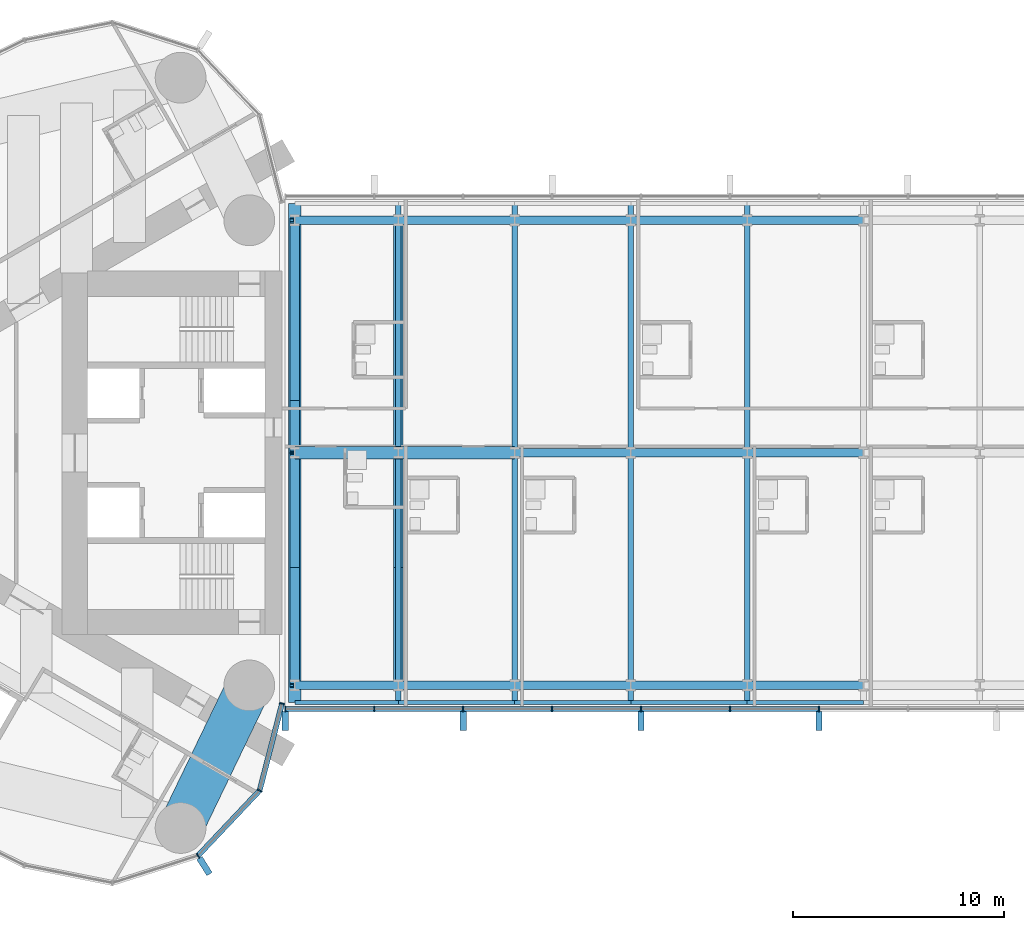
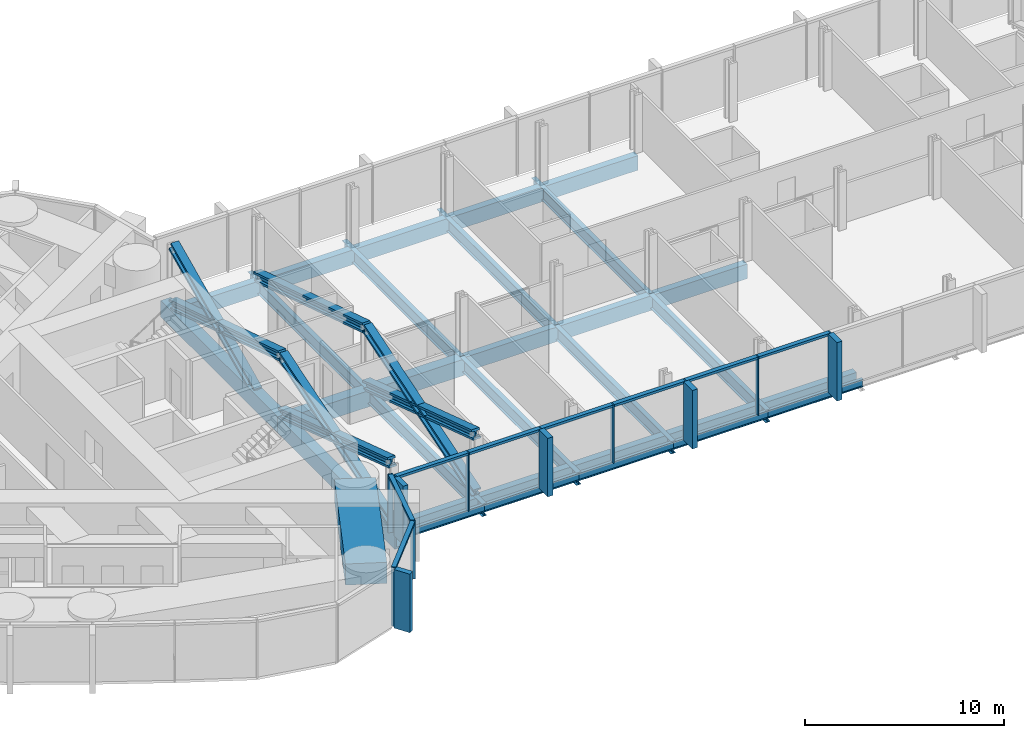
# One storey, part 5 of 24: 31 beams, 30 members, 2 elements without a shape of their own.
"""IFC4 building model written with IfcOpenShell, lengths in metres."""

import ifcopenshell
import ifcopenshell.guid

model = None  # the IFC model being written
_history = None  # IfcOwnerHistory: only IFC2X3 demands one
_inside = {}  # id of a spatial element -> (the spatial element, [elements in it])
_under = {}  # id of a project, library or spatial element -> (it, [spatial elements below it])
_declared = {}  # id of a project -> (the project, [libraries it declares])
_typed = {}  # id of a type object -> (the type object, [elements of that type])
_made_of = {}  # id of a material, layer set ... -> (it, [elements and type objects made of it])


def new_model(schema):
    """Start an empty IFC model of exactly this schema.

    Asked for "IFC4X3", IfcOpenShell would pick the latest addendum, in which some entities
    have other attributes; the version numbers below select the first issue.
    IFC2X3 requires an IfcOwnerHistory on every rooted entity: one is made here for all.
    """
    global model, _history
    if schema == "IFC4X3":
        model = ifcopenshell.file(schema_version=(4, 3, 0, 0))
    else:
        model = ifcopenshell.file(schema=schema)
    _inside.clear()
    _under.clear()
    _declared.clear()
    _typed.clear()
    _made_of.clear()
    _history = None
    if model.schema == "IFC2X3":
        org = make("IfcOrganization", Name="unknown")
        user = make(
            "IfcPersonAndOrganization",
            ThePerson=make("IfcPerson", FamilyName="unknown"),
            TheOrganization=org,
        )
        app = make(
            "IfcApplication",
            ApplicationDeveloper=org,
            Version="unknown",
            ApplicationFullName="unknown",
            ApplicationIdentifier="unknown",
        )
        _history = make(
            "IfcOwnerHistory",
            OwningUser=user,
            OwningApplication=app,
            ChangeAction="ADDED",
            CreationDate=0,
        )
    return model


def make(cls, **values):
    """One entity of the class cls with the attributes given. An attribute that is None is left unset."""
    return model.create_entity(
        cls, **{name: value for name, value in values.items() if value is not None}
    )


def rooted(cls, **values):
    """An entity with a GlobalId (a new one), such as an element, a storey or a relation."""
    return make(cls, GlobalId=ifcopenshell.guid.new(), OwnerHistory=_history, **values)


def si_unit(unit_type, name, prefix=None):
    """IfcSIUnit, for example si_unit("LENGTHUNIT", "METRE", prefix="MILLI")."""
    return make("IfcSIUnit", UnitType=unit_type, Prefix=prefix, Name=name)


def assignment(units):
    """IfcUnitAssignment: the units of a project."""
    return None if units is None else make("IfcUnitAssignment", Units=units)


def point(xyz):
    """IfcCartesianPoint."""
    return None if xyz is None else make("IfcCartesianPoint", Coordinates=xyz)


def direction(xyz):
    """IfcDirection."""
    return None if xyz is None else make("IfcDirection", DirectionRatios=xyz)


def frame(location, z_axis=None, x_axis=None):
    """IfcAxis2Placement3D, a coordinate frame: its origin and axes. An axis left out is left unset."""
    return make(
        "IfcAxis2Placement3D",
        Location=point(location),
        Axis=direction(z_axis),
        RefDirection=direction(x_axis),
    )


def frame_2d(location, x_axis=None):
    """IfcAxis2Placement2D, a coordinate frame in the plane: its origin and x axis."""
    return make(
        "IfcAxis2Placement2D", Location=point(location), RefDirection=direction(x_axis)
    )


def origin():
    """The frame at (0, 0, 0) with its axes left unset."""
    return frame((0.0, 0.0, 0.0))


def origin_2d():
    """The frame at (0, 0) in the plane with its x axis left unset."""
    return frame_2d((0.0, 0.0))


def place(relative_to, where):
    """IfcLocalPlacement: puts the frame where relative to a parent placement (None: the world)."""
    return make(
        "IfcLocalPlacement", PlacementRelTo=relative_to, RelativePlacement=where
    )


def context(
    kind, dimensions, precision=None, world=None, true_north=None, identifier=None
):
    """IfcGeometricRepresentationContext, for example the 3D "Model" context."""
    return make(
        "IfcGeometricRepresentationContext",
        ContextIdentifier=identifier,
        ContextType=kind,
        CoordinateSpaceDimension=dimensions,
        Precision=precision,
        WorldCoordinateSystem=world,
        TrueNorth=true_north,
    )


def subcontext(parent, identifier, kind, view, scale=None):
    """IfcGeometricRepresentationSubContext, for example "Body" below "Model"."""
    return make(
        "IfcGeometricRepresentationSubContext",
        ContextIdentifier=identifier,
        ContextType=kind,
        ParentContext=parent,
        TargetScale=scale,
        TargetView=view,
    )


def project(units=None, contexts=None):
    """IfcProject with its units and contexts."""
    return rooted(
        "IfcProject",
        Name="project",
        RepresentationContexts=contexts,
        UnitsInContext=assignment(units),
    )


def spatial(cls, under=None, at=None, **own):
    """A site, building, storey or space (cls), placed at a placement, below another one or the project."""
    s = rooted(cls, ObjectPlacement=at, **own)
    if under is not None:
        _under.setdefault(under.id(), (under, []))[1].append(s)
    return s


def profile(cls, at=None, kind="AREA", **sizes):
    """A parametric profile (cls). Its sizes go by their IFC names, for example OverallWidth=200.0."""
    return make(cls, ProfileType=kind, Position=at, **sizes)


def rectangle(**sizes):
    """IfcRectangleProfileDef."""
    return profile("IfcRectangleProfileDef", **sizes)


def hollow_rectangle(**sizes):
    """IfcRectangleHollowProfileDef."""
    return profile("IfcRectangleHollowProfileDef", **sizes)


def i_section(**sizes):
    """IfcIShapeProfileDef."""
    return profile("IfcIShapeProfileDef", **sizes)


def extrude(swept, where, along, depth):
    """IfcExtrudedAreaSolid: the profile swept, set in the frame where, extruded along a direction by depth."""
    return make(
        "IfcExtrudedAreaSolid",
        SweptArea=swept,
        Position=where,
        ExtrudedDirection=direction(along),
        Depth=depth,
    )


def shape(context_of_items, identifier, shape_type, items):
    """IfcShapeRepresentation: the items that make up one representation, for example the "Body"."""
    return make(
        "IfcShapeRepresentation",
        ContextOfItems=context_of_items,
        RepresentationIdentifier=identifier,
        RepresentationType=shape_type,
        Items=items,
    )


def material(Name=None, Category=None):
    """IfcMaterial."""
    return make("IfcMaterial", Name=Name, Category=Category)


def material_profile(
    of_material, cross_section, Name=None, Category=None, Priority=None
):
    """IfcMaterialProfile: a cross section and its material."""
    return make(
        "IfcMaterialProfile",
        Name=Name,
        Material=of_material,
        Profile=cross_section,
        Priority=Priority,
        Category=Category,
    )


def profile_set(profiles, Name=None, composite=None):
    """IfcMaterialProfileSet."""
    return make(
        "IfcMaterialProfileSet",
        Name=Name,
        MaterialProfiles=profiles,
        CompositeProfile=composite,
    )


def made_of(thing, what):
    """Note that an element or type object is made of a material, layer set ...; save() writes the relation."""
    if what is not None:
        _made_of.setdefault(what.id(), (what, []))[1].append(thing)
    return thing


def type_object(cls, material=None, **own):
    """A type object (cls), such as IfcWallType, which elements share."""
    return made_of(rooted(cls, **own), material)


def element(
    cls,
    number,
    at=None,
    inside=None,
    cuts=None,
    type_object=None,
    material=None,
    context=None,
    identifier="Body",
    shape_type=None,
    held_by="IfcProductDefinitionShape",
    body=None,
    shapes=None,
    **own,
):
    """One element of the class cls, such as IfcWall. Its Tag is "e" and its number.

    at: its placement. inside: the storey or other place that contains it. cuts: it is an
    opening in that element (IfcRelVoidsElement). A single representation is given by context,
    identifier, shape_type and body (its items); several are given by shapes. held_by: the class
    of the entity that holds the representations. save() writes the other relations.
    """
    e = rooted(cls, Tag="e%d" % number, ObjectPlacement=at, **own)
    if body is not None:
        shapes = [shape(context, identifier, shape_type, body)]
    if shapes is not None:
        e.Representation = make(held_by, Representations=shapes)
    if inside is not None:
        _inside.setdefault(inside.id(), (inside, []))[1].append(e)
    if cuts is not None:
        rooted(
            "IfcRelVoidsElement", RelatingBuildingElement=cuts, RelatedOpeningElement=e
        )
    if type_object is not None:
        _typed.setdefault(type_object.id(), (type_object, []))[1].append(e)
    return made_of(e, material)


def aggregate(whole, parts):
    """IfcRelAggregates: a whole, such as a stair, and the parts it consists of."""
    return rooted("IfcRelAggregates", RelatingObject=whole, RelatedObjects=parts)


def save(model, path):
    """Write the relations noted so far, then the file.

    IfcRelAggregates (storeys below a building ...), IfcRelContainedInSpatialStructure (elements
    in a storey), IfcRelDefinesByType, IfcRelAssociatesMaterial and IfcRelDeclares: one each for
    every whole, place, type object, material and project.
    """
    for whole, parts in _under.values():
        aggregate(whole, parts)
    for where, things in _inside.values():
        rooted(
            "IfcRelContainedInSpatialStructure",
            RelatedElements=things,
            RelatingStructure=where,
        )
    for kind, things in _typed.values():
        rooted("IfcRelDefinesByType", RelatedObjects=things, RelatingType=kind)
    for what, things in _made_of.values():
        rooted("IfcRelAssociatesMaterial", RelatedObjects=things, RelatingMaterial=what)
    for by, libraries in _declared.values():
        rooted("IfcRelDeclares", RelatingContext=by, RelatedDefinitions=libraries)
    model.write(path)


model = new_model("IFC4")

# Units and contexts
model_context = context("Model", 3, precision=1e-05, world=origin(), true_north=direction((0.0, 1.0)))
body_context = subcontext(model_context, "Body", "Model", "MODEL_VIEW")
ifc_project = project(units=[si_unit("LENGTHUNIT", "METRE"), si_unit("AREAUNIT", "SQUARE_METRE"), si_unit("VOLUMEUNIT", "CUBIC_METRE"), si_unit("PLANEANGLEUNIT", "RADIAN"), si_unit("MASSUNIT", "GRAM", prefix="KILO")], contexts=[model_context])

# Site, building, storey
site_placement = place(None, origin())
site = spatial("IfcSite", under=ifc_project, at=site_placement, CompositionType="ELEMENT")
building_placement = place(site_placement, origin())
building = spatial("IfcBuilding", under=site, at=building_placement, Name="Lancet Gate Hotel", CompositionType="ELEMENT")
storey_placement = place(building_placement, frame((0.0, 0.0, 236.89990234375)))
storey = spatial("IfcBuildingStorey", under=building, at=storey_placement, Name="L63", CompositionType="ELEMENT", Elevation=236.89990234375)

# Curtain wall, members
ifc_material_1 = material(Name="Aluminium curtain wall", Category="aluminium")
curtain_wall_type_1 = type_object("IfcCurtainWallType", Name="Tower unitised curtain wall", PredefinedType="USERDEFINED", material=ifc_material_1)
curtain_wall_1_placement = place(storey_placement, origin())
curtain_wall_1 = element("IfcCurtainWall", 1, at=curtain_wall_1_placement, inside=storey, type_object=curtain_wall_type_1, Name="T1 L63 curtain wall 1", ObjectType="UNITISED CURTAIN WALL", PredefinedType="USERDEFINED")
ifc_material_2 = material(Name="Aluminium mullion", Category="aluminium")
ifc_material_profile_1 = material_profile(ifc_material_2, rectangle(XDim=0.06494140625, YDim=0.25, at=origin_2d()), Name="MULLION 65x250")
ifc_profile_set_1 = profile_set([ifc_material_profile_1], Name="Aluminium mullion")
member_type_1 = type_object("IfcMemberType", Name="Aluminium mullion 65x250", PredefinedType="MULLION", material=ifc_profile_set_1)
member_1_placement = place(storey_placement, frame((-31.476318359375, -19.0576171875, 0.0), z_axis=(0.0, 0.0, 1.0), x_axis=(0.846612863, 0.532209225966, 0.0)))
member_1 = element("IfcMember", 2, at=member_1_placement, type_object=member_type_1, Name="T1 L63 curtain wall 1 mullion 23", PredefinedType="MULLION", context=body_context, shape_type="SweptSolid", body=[
    extrude(rectangle(XDim=0.06494140625, YDim=0.25, at=origin_2d()), origin(), (0.0, 0.0, 1.0), 3.60009765625),
])
member_2_placement = place(storey_placement, frame((-28.56005859375, -15.97216796875, 0.0), z_axis=(0.0, 0.0, 1.0), x_axis=(0.483627322447, 0.875274021654, 0.0)))
member_2 = element("IfcMember", 3, at=member_2_placement, type_object=member_type_1, Name="T1 L63 curtain wall 1 mullion 24", PredefinedType="MULLION", context=body_context, shape_type="SweptSolid", body=[
    extrude(rectangle(XDim=0.06494140625, YDim=0.25, at=origin_2d()), origin(), (0.0, 0.0, 1.0), 3.60009765625),
])
member_3_placement = place(storey_placement, frame((-27.5, -11.861572265625, 0.0), z_axis=(0.0, 0.0, 1.0), x_axis=(0.249725827997, 0.968316586056, 0.0)))
member_3 = element("IfcMember", 4, at=member_3_placement, type_object=member_type_1, Name="T1 L63 curtain wall 1 mullion 25", PredefinedType="MULLION", context=body_context, shape_type="SweptSolid", body=[
    extrude(rectangle(XDim=0.06494140625, YDim=0.25, at=origin_2d()), origin(), (0.0, 0.0, 1.0), 3.60009765625),
])

ifc_material_3 = material(Name="Aluminium curtain wall", Category="aluminium")
curtain_wall_type_2 = type_object("IfcCurtainWallType", Name="Bridge block curtain wall", PredefinedType="USERDEFINED", material=ifc_material_3)
curtain_wall_2_placement = place(storey_placement, origin())
curtain_wall_2 = element("IfcCurtainWall", 5, at=curtain_wall_2_placement, inside=storey, type_object=curtain_wall_type_2, Name="Bridge block L63 curtain wall S", ObjectType="UNITISED CURTAIN WALL", PredefinedType="USERDEFINED")
member_4_placement = place(storey_placement, frame((-27.35009765625, -12.1201171875, 0.0), z_axis=(0.0, 0.0, 1.0), x_axis=(1.0, 0.0, 0.0)))
member_4 = element("IfcMember", 6, at=member_4_placement, type_object=member_type_1, Name="Bridge block L63 curtain wall S mullion 1", PredefinedType="MULLION", context=body_context, shape_type="SweptSolid", body=[
    extrude(rectangle(XDim=0.06494140625, YDim=0.25, at=origin_2d()), origin(), (0.0, 0.0, 1.0), 3.60009765625),
])
member_5_placement = place(storey_placement, frame((-23.142333984375, -12.1201171875, 0.0), z_axis=(0.0, 0.0, 1.0), x_axis=(1.0, 0.0, 0.0)))
member_5 = element("IfcMember", 7, at=member_5_placement, type_object=member_type_1, Name="Bridge block L63 curtain wall S mullion 2", PredefinedType="MULLION", context=body_context, shape_type="SweptSolid", body=[
    extrude(rectangle(XDim=0.06494140625, YDim=0.25, at=origin_2d()), origin(), (0.0, 0.0, 1.0), 3.60009765625),
])
member_6_placement = place(storey_placement, frame((-18.9345703125, -12.1201171875, 0.0), z_axis=(0.0, 0.0, 1.0), x_axis=(1.0, 0.0, 0.0)))
member_6 = element("IfcMember", 8, at=member_6_placement, type_object=member_type_1, Name="Bridge block L63 curtain wall S mullion 3", PredefinedType="MULLION", context=body_context, shape_type="SweptSolid", body=[
    extrude(rectangle(XDim=0.06494140625, YDim=0.25, at=origin_2d()), origin(), (0.0, 0.0, 1.0), 3.60009765625),
])
member_7_placement = place(storey_placement, frame((-14.726806640625, -12.1201171875, 0.0), z_axis=(0.0, 0.0, 1.0), x_axis=(1.0, 0.0, 0.0)))
member_7 = element("IfcMember", 9, at=member_7_placement, type_object=member_type_1, Name="Bridge block L63 curtain wall S mullion 4", PredefinedType="MULLION", context=body_context, shape_type="SweptSolid", body=[
    extrude(rectangle(XDim=0.06494140625, YDim=0.25, at=origin_2d()), origin(), (0.0, 0.0, 1.0), 3.60009765625),
])
member_8_placement = place(storey_placement, frame((-10.519287109375, -12.1201171875, 0.0), z_axis=(0.0, 0.0, 1.0), x_axis=(1.0, 0.0, 0.0)))
member_8 = element("IfcMember", 10, at=member_8_placement, type_object=member_type_1, Name="Bridge block L63 curtain wall S mullion 5", PredefinedType="MULLION", context=body_context, shape_type="SweptSolid", body=[
    extrude(rectangle(XDim=0.06494140625, YDim=0.25, at=origin_2d()), origin(), (0.0, 0.0, 1.0), 3.60009765625),
])
member_9_placement = place(storey_placement, frame((-6.3115234375, -12.1201171875, 0.0), z_axis=(0.0, 0.0, 1.0), x_axis=(1.0, 0.0, 0.0)))
member_9 = element("IfcMember", 11, at=member_9_placement, type_object=member_type_1, Name="Bridge block L63 curtain wall S mullion 6", PredefinedType="MULLION", context=body_context, shape_type="SweptSolid", body=[
    extrude(rectangle(XDim=0.06494140625, YDim=0.25, at=origin_2d()), origin(), (0.0, 0.0, 1.0), 3.60009765625),
])
member_10_placement = place(storey_placement, frame((-2.103759765625, -12.1201171875, 0.0), z_axis=(0.0, 0.0, 1.0), x_axis=(1.0, 0.0, 0.0)))
member_10 = element("IfcMember", 12, at=member_10_placement, type_object=member_type_1, Name="Bridge block L63 curtain wall S mullion 7", PredefinedType="MULLION", context=body_context, shape_type="SweptSolid", body=[
    extrude(rectangle(XDim=0.06494140625, YDim=0.25, at=origin_2d()), origin(), (0.0, 0.0, 1.0), 3.60009765625),
])

# Member
ifc_material_4 = material(Name="Aluminium transom", Category="aluminium")
ifc_material_profile_2 = material_profile(ifc_material_4, rectangle(XDim=0.25, YDim=0.14990234375, at=origin_2d()), Name="TRANSOM 250x150")
ifc_profile_set_2 = profile_set([ifc_material_profile_2], Name="Aluminium transom")
member_type_2 = type_object("IfcMemberType", Name="Aluminium transom 250x150", PredefinedType="USERDEFINED", material=ifc_profile_set_2)
member_11_placement = place(storey_placement, frame((-31.453857421875, -19.033935546875, 3.525146484375), z_axis=(0.686880731091, 0.726770157103, 0.0), x_axis=(-0.726770157103, 0.686880731091, 0.0)))
member_11 = element("IfcMember", 13, at=member_11_placement, type_object=member_type_2, Name="T1 L63 curtain wall 1 transom 23", ObjectType="TRANSOM", PredefinedType="USERDEFINED", context=body_context, shape_type="SweptSolid", body=[
    extrude(rectangle(XDim=0.25, YDim=0.14990234375, at=origin_2d()), origin(), (0.0, 0.0, 1.0), 4.18017578125),
])

member_12_placement = place(storey_placement, frame((-28.552001953125, -15.94091796875, 3.525146484375), z_axis=(0.249715522936, 0.968319243641, 0.0), x_axis=(-0.968319243641, 0.249715522936, 0.0)))
member_12 = element("IfcMember", 14, at=member_12_placement, type_object=member_type_2, Name="T1 L63 curtain wall 1 transom 24", ObjectType="TRANSOM", PredefinedType="USERDEFINED", context=body_context, shape_type="SweptSolid", body=[
    extrude(rectangle(XDim=0.25, YDim=0.14990234375, at=origin_2d()), origin(), (0.0, 0.0, 1.0), 4.180419921875),
])

member_13_placement = place(storey_placement, frame((-27.3173828125, -12.1201171875, 3.525146484375), z_axis=(1.0, 0.0, 0.0), x_axis=(0.0, 1.0, 0.0)))
member_13 = element("IfcMember", 15, at=member_13_placement, type_object=member_type_2, Name="Bridge block L63 curtain wall S transom 1", ObjectType="TRANSOM", PredefinedType="USERDEFINED", context=body_context, shape_type="SweptSolid", body=[
    extrude(rectangle(XDim=0.25, YDim=0.14990234375, at=origin_2d()), origin(), (0.0, 0.0, 1.0), 4.142578125),
])

member_14_placement = place(storey_placement, frame((-23.10986328125, -12.1201171875, 3.525146484375), z_axis=(1.0, 0.0, 0.0), x_axis=(0.0, 1.0, 0.0)))
member_14 = element("IfcMember", 16, at=member_14_placement, type_object=member_type_2, Name="Bridge block L63 curtain wall S transom 2", ObjectType="TRANSOM", PredefinedType="USERDEFINED", context=body_context, shape_type="SweptSolid", body=[
    extrude(rectangle(XDim=0.25, YDim=0.14990234375, at=origin_2d()), origin(), (0.0, 0.0, 1.0), 4.142822265625),
])

member_15_placement = place(storey_placement, frame((-18.902099609375, -12.1201171875, 3.525146484375), z_axis=(1.0, 0.0, 0.0), x_axis=(0.0, 1.0, 0.0)))
member_15 = element("IfcMember", 17, at=member_15_placement, type_object=member_type_2, Name="Bridge block L63 curtain wall S transom 3", ObjectType="TRANSOM", PredefinedType="USERDEFINED", context=body_context, shape_type="SweptSolid", body=[
    extrude(rectangle(XDim=0.25, YDim=0.14990234375, at=origin_2d()), origin(), (0.0, 0.0, 1.0), 4.142578125),
])

member_16_placement = place(storey_placement, frame((-14.6943359375, -12.1201171875, 3.525146484375), z_axis=(1.0, 0.0, 0.0), x_axis=(0.0, 1.0, 0.0)))
member_16 = element("IfcMember", 18, at=member_16_placement, type_object=member_type_2, Name="Bridge block L63 curtain wall S transom 4", ObjectType="TRANSOM", PredefinedType="USERDEFINED", context=body_context, shape_type="SweptSolid", body=[
    extrude(rectangle(XDim=0.25, YDim=0.14990234375, at=origin_2d()), origin(), (0.0, 0.0, 1.0), 4.142578125),
])

member_17_placement = place(storey_placement, frame((-10.48681640625, -12.1201171875, 3.525146484375), z_axis=(1.0, 0.0, 0.0), x_axis=(0.0, 1.0, 0.0)))
member_17 = element("IfcMember", 19, at=member_17_placement, type_object=member_type_2, Name="Bridge block L63 curtain wall S transom 5", ObjectType="TRANSOM", PredefinedType="USERDEFINED", context=body_context, shape_type="SweptSolid", body=[
    extrude(rectangle(XDim=0.25, YDim=0.14990234375, at=origin_2d()), origin(), (0.0, 0.0, 1.0), 4.142822265625),
])

member_18_placement = place(storey_placement, frame((-6.279052734375, -12.1201171875, 3.525146484375), z_axis=(1.0, 0.0, 0.0), x_axis=(0.0, 1.0, 0.0)))
member_18 = element("IfcMember", 20, at=member_18_placement, type_object=member_type_2, Name="Bridge block L63 curtain wall S transom 6", ObjectType="TRANSOM", PredefinedType="USERDEFINED", context=body_context, shape_type="SweptSolid", body=[
    extrude(rectangle(XDim=0.25, YDim=0.14990234375, at=origin_2d()), origin(), (0.0, 0.0, 1.0), 4.142822265625),
])

# Members
ifc_material_5 = material(Name="Steel S460", Category="steel")
ifc_material_profile_3 = material_profile(ifc_material_5, i_section(OverallWidth=0.4541015625, OverallDepth=0.569091796875, WebThickness=0.077880859375, FlangeThickness=0.125, FilletRadius=0.02001953125, at=origin_2d()), Name="HD 400x1086")
ifc_profile_set_3 = profile_set([ifc_material_profile_3], Name="Steel S460")
member_type_3 = type_object("IfcMemberType", Name="Block brace HD 400x1086", PredefinedType="BRACE", material=ifc_profile_set_3)
member_19_placement = place(storey_placement, frame((-26.89990234375, -11.0, 0.0), z_axis=(0.0, 0.952925780013, 0.303203657277), x_axis=(-1.0, 0.0, 0.0)))
element("IfcMember", 21, at=member_19_placement, inside=storey, type_object=member_type_3, Name="Block brace WY11 L63", PredefinedType="BRACE", context=body_context, shape_type="SweptSolid", body=[
    extrude(i_section(OverallWidth=0.4541015625, OverallDepth=0.569091796875, WebThickness=0.077880859375, FlangeThickness=0.125, FilletRadius=0.02001953125, at=origin_2d()), origin(), (0.0, 0.0, 1.0), 11.54345703125),
])
member_20_placement = place(storey_placement, frame((-26.89990234375, 0.0, 0.0), z_axis=(0.0, -0.950394634814, 0.311046681573), x_axis=(1.0, 0.0, 0.0)))
element("IfcMember", 22, at=member_20_placement, inside=storey, type_object=member_type_3, Name="Block brace WY12 L63", PredefinedType="BRACE", context=body_context, shape_type="SweptSolid", body=[
    extrude(i_section(OverallWidth=0.4541015625, OverallDepth=0.569091796875, WebThickness=0.077880859375, FlangeThickness=0.125, FilletRadius=0.02001953125, at=origin_2d()), origin(), (0.0, 0.0, 1.0), 11.57421875),
])
for number, where, z_axis, x_axis, name in (
    (23, (-26.89990234375, 11.0, 0.0), (0.0, -0.952925780013, 0.303203657277), (1.0, 0.0, 0.0), "Block brace WY22 L63"),
    (24, (-22.0, -11.0, 0.0), (0.0, 0.952925780013, 0.303203657277), (-1.0, 0.0, 0.0), "Block brace WI11 L63"),
):
    element("IfcMember", number, at=place(storey_placement, frame(where, z_axis=z_axis, x_axis=x_axis)), inside=storey, type_object=member_type_3, Name=name, PredefinedType="BRACE", context=body_context, shape_type="SweptSolid", body=[
        extrude(i_section(OverallWidth=0.4541015625, OverallDepth=0.569091796875, WebThickness=0.077880859375, FlangeThickness=0.125, FilletRadius=0.02001953125, at=origin_2d()), origin(), (0.0, 0.0, 1.0), 11.54345703125),
    ])
member_21_placement = place(storey_placement, frame((-22.0, 0.0, 0.0), z_axis=(0.0, -0.950394634814, 0.311046681573), x_axis=(1.0, 0.0, 0.0)))
element("IfcMember", 25, at=member_21_placement, inside=storey, type_object=member_type_3, Name="Block brace WI12 L63", PredefinedType="BRACE", context=body_context, shape_type="SweptSolid", body=[
    extrude(i_section(OverallWidth=0.4541015625, OverallDepth=0.569091796875, WebThickness=0.077880859375, FlangeThickness=0.125, FilletRadius=0.02001953125, at=origin_2d()), origin(), (0.0, 0.0, 1.0), 11.57421875),
])
member_22_placement = place(storey_placement, frame((-22.0, 11.0, 0.0), z_axis=(0.0, -0.952925780013, 0.303203657277), x_axis=(1.0, 0.0, 0.0)))
element("IfcMember", 26, at=member_22_placement, inside=storey, type_object=member_type_3, Name="Block brace WI22 L63", PredefinedType="BRACE", context=body_context, shape_type="SweptSolid", body=[
    extrude(i_section(OverallWidth=0.4541015625, OverallDepth=0.569091796875, WebThickness=0.077880859375, FlangeThickness=0.125, FilletRadius=0.02001953125, at=origin_2d()), origin(), (0.0, 0.0, 1.0), 11.54345703125),
])
member_23_placement = place(storey_placement, frame((-26.89990234375, 2.60009765625, -0.2998046875), z_axis=(0.0, 0.907011125382, 0.421106659212), x_axis=(-1.0, 0.0, 0.0)))
element("IfcMember", 27, at=member_23_placement, inside=storey, type_object=member_type_3, Name="Block brace WY23 L63", PredefinedType="BRACE", context=body_context, shape_type="SweptSolid", body=[
    extrude(i_section(OverallWidth=0.4541015625, OverallDepth=0.569091796875, WebThickness=0.077880859375, FlangeThickness=0.125, FilletRadius=0.02001953125, at=origin_2d()), origin(), (0.0, 0.0, 1.0), 9.260986328125),
])

# Beams
ifc_material_6 = material(Name="Steel S355", Category="steel")
ifc_material_profile_4 = material_profile(ifc_material_6, i_section(OverallWidth=0.19140625, OverallDepth=0.4599609375, WebThickness=0.010009765625, FlangeThickness=0.01611328125, FilletRadius=0.01025390625, at=origin_2d()), Name="UKB 457x191x82")
ifc_profile_set_4 = profile_set([ifc_material_profile_4], Name="Steel S355")
beam_type_1 = type_object("IfcBeamType", Name="Block edge beam UKB 457x191x82", PredefinedType="SPANDREL", material=ifc_profile_set_4)
beam_1_placement = place(storey_placement, frame((-26.89990234375, -11.800048828125, -0.429931640625), z_axis=(1.0, 0.0, 0.0), x_axis=(0.0, 1.0, 0.0)))
element("IfcBeam", 28, at=beam_1_placement, inside=storey, type_object=beam_type_1, Name="Block edge beam S 0-1 L63", PredefinedType="SPANDREL", context=body_context, shape_type="SweptSolid", body=[
    extrude(i_section(OverallWidth=0.19140625, OverallDepth=0.4599609375, WebThickness=0.010009765625, FlangeThickness=0.01611328125, FilletRadius=0.01025390625, at=origin_2d()), origin(), (0.0, 0.0, 1.0), 4.89990234375),
])
for number, where, z_axis, x_axis, name in (
    (29, (-22.0, -11.800048828125, -0.429931640625), (1.0, 0.0, 0.0), (0.0, 1.0, 0.0), "Block edge beam S 1-2 L63"),
    (30, (-16.5, -11.800048828125, -0.429931640625), (1.0, 0.0, 0.0), (0.0, 1.0, 0.0), "Block edge beam S 2-3 L63"),
    (31, (-11.0, -11.800048828125, -0.429931640625), (1.0, 0.0, 0.0), (0.0, 1.0, 0.0), "Block edge beam S 3-4 L63"),
    (32, (-5.5, -11.800048828125, -0.429931640625), (1.0, 0.0, 0.0), (0.0, 1.0, 0.0), "Block edge beam S 4-5 L63"),
):
    element("IfcBeam", number, at=place(storey_placement, frame(where, z_axis=z_axis, x_axis=x_axis)), inside=storey, type_object=beam_type_1, Name=name, PredefinedType="SPANDREL", context=body_context, shape_type="SweptSolid", body=[
        extrude(i_section(OverallWidth=0.19140625, OverallDepth=0.4599609375, WebThickness=0.010009765625, FlangeThickness=0.01611328125, FilletRadius=0.01025390625, at=origin_2d()), origin(), (0.0, 0.0, 1.0), 5.5),
    ])
ifc_material_7 = material(Name="Steel S460QL", Category="steel")
ifc_material_profile_5 = material_profile(ifc_material_7, hollow_rectangle(XDim=0.60009765625, YDim=1.0, WallThickness=0.10009765625, at=origin_2d()), Name="BOX 1000x600x100")
ifc_profile_set_5 = profile_set([ifc_material_profile_5], Name="Steel S460QL")
beam_type_2 = type_object("IfcBeamType", Name="Block end beam BOX 1000x600x100", PredefinedType="BEAM", material=ifc_profile_set_5)
for number, where, z_axis, x_axis, name in (
    (33, (-26.89990234375, -11.800048828125, -0.699951171875), (0.0, 1.0, 0.0), (-1.0, 0.0, 0.0), "Block beam x0 S L63"),
    (34, (-26.89990234375, 0.0, -0.699951171875), (0.0, 1.0, 0.0), (-1.0, 0.0, 0.0), "Block beam x0 N L63"),
):
    element("IfcBeam", number, at=place(storey_placement, frame(where, z_axis=z_axis, x_axis=x_axis)), inside=storey, type_object=beam_type_2, Name=name, PredefinedType="BEAM", context=body_context, shape_type="SweptSolid", body=[
        extrude(hollow_rectangle(XDim=0.60009765625, YDim=1.0, WallThickness=0.10009765625, at=origin_2d()), origin(), (0.0, 0.0, 1.0), 11.800048828125),
    ])
ifc_material_8 = material(Name="Steel S460QL", Category="steel")
ifc_material_profile_6 = material_profile(ifc_material_8, hollow_rectangle(XDim=0.60009765625, YDim=1.0, WallThickness=0.080078125, at=origin_2d()), Name="BOX 1000x600x80")
ifc_profile_set_6 = profile_set([ifc_material_profile_6], Name="Steel S460QL")
beam_type_3 = type_object("IfcBeamType", Name="Block primary beam BOX 1000x600x80", PredefinedType="BEAM", material=ifc_profile_set_6)
beam_2_placement = place(storey_placement, frame((-26.89990234375, 0.0, -0.699951171875), z_axis=(1.0, 0.0, 0.0), x_axis=(0.0, 1.0, 0.0)))
element("IfcBeam", 35, at=beam_2_placement, inside=storey, type_object=beam_type_3, Name="Block primary beam M 1 L63", PredefinedType="BEAM", context=body_context, shape_type="SweptSolid", body=[
    extrude(hollow_rectangle(XDim=0.60009765625, YDim=1.0, WallThickness=0.080078125, at=origin_2d()), origin(), (0.0, 0.0, 1.0), 4.89990234375),
])
beam_3_placement = place(storey_placement, frame((-22.0, 0.0, -0.699951171875), z_axis=(1.0, 0.0, 0.0), x_axis=(0.0, 1.0, 0.0)))
element("IfcBeam", 36, at=beam_3_placement, inside=storey, type_object=beam_type_3, Name="Block primary beam M 2 L63", PredefinedType="BEAM", context=body_context, shape_type="SweptSolid", body=[
    extrude(hollow_rectangle(XDim=0.60009765625, YDim=1.0, WallThickness=0.080078125, at=origin_2d()), origin(), (0.0, 0.0, 1.0), 5.5),
])
ifc_material_9 = material(Name="Steel S355", Category="steel")
ifc_material_profile_7 = material_profile(ifc_material_9, hollow_rectangle(XDim=0.39990234375, YDim=0.89990234375, WallThickness=0.0400390625, at=origin_2d()), Name="BOX 900x400x40")
ifc_profile_set_7 = profile_set([ifc_material_profile_7], Name="Steel S355")
beam_type_4 = type_object("IfcBeamType", Name="Block primary beam BOX 900x400x40", PredefinedType="BEAM", material=ifc_profile_set_7)
beam_4_placement = place(storey_placement, frame((-26.89990234375, -11.0, -0.64990234375), z_axis=(1.0, 0.0, 0.0), x_axis=(0.0, 1.0, 0.0)))
element("IfcBeam", 37, at=beam_4_placement, inside=storey, type_object=beam_type_4, Name="Block primary beam S 1 L63", PredefinedType="BEAM", context=body_context, shape_type="SweptSolid", body=[
    extrude(hollow_rectangle(XDim=0.39990234375, YDim=0.89990234375, WallThickness=0.0400390625, at=origin_2d()), origin(), (0.0, 0.0, 1.0), 4.89990234375),
])
for number, where, z_axis, x_axis, name in (
    (38, (-22.0, -11.0, -0.64990234375), (1.0, 0.0, 0.0), (0.0, 1.0, 0.0), "Block primary beam S 2 L63"),
    (39, (-16.5, -11.0, -0.64990234375), (1.0, 0.0, 0.0), (0.0, 1.0, 0.0), "Block primary beam S 3 L63"),
    (40, (-11.0, -11.0, -0.64990234375), (1.0, 0.0, 0.0), (0.0, 1.0, 0.0), "Block primary beam S 4 L63"),
    (41, (-5.5, -11.0, -0.64990234375), (1.0, 0.0, 0.0), (0.0, 1.0, 0.0), "Block primary beam S 5 L63"),
    (42, (-16.5, 0.0, -0.64990234375), (1.0, 0.0, 0.0), (0.0, 1.0, 0.0), "Block primary beam M 3 L63"),
    (43, (-11.0, 0.0, -0.64990234375), (1.0, 0.0, 0.0), (0.0, 1.0, 0.0), "Block primary beam M 4 L63"),
    (44, (-5.5, 0.0, -0.64990234375), (1.0, 0.0, 0.0), (0.0, 1.0, 0.0), "Block primary beam M 5 L63"),
):
    element("IfcBeam", number, at=place(storey_placement, frame(where, z_axis=z_axis, x_axis=x_axis)), inside=storey, type_object=beam_type_4, Name=name, PredefinedType="BEAM", context=body_context, shape_type="SweptSolid", body=[
        extrude(hollow_rectangle(XDim=0.39990234375, YDim=0.89990234375, WallThickness=0.0400390625, at=origin_2d()), origin(), (0.0, 0.0, 1.0), 5.5),
    ])
beam_5_placement = place(storey_placement, frame((-26.89990234375, 11.0, -0.64990234375), z_axis=(1.0, 0.0, 0.0), x_axis=(0.0, 1.0, 0.0)))
element("IfcBeam", 45, at=beam_5_placement, inside=storey, type_object=beam_type_4, Name="Block primary beam N 1 L63", PredefinedType="BEAM", context=body_context, shape_type="SweptSolid", body=[
    extrude(hollow_rectangle(XDim=0.39990234375, YDim=0.89990234375, WallThickness=0.0400390625, at=origin_2d()), origin(), (0.0, 0.0, 1.0), 4.89990234375),
])
for number, where, z_axis, x_axis, name in (
    (46, (-22.0, 11.0, -0.64990234375), (1.0, 0.0, 0.0), (0.0, 1.0, 0.0), "Block primary beam N 2 L63"),
    (47, (-16.5, 11.0, -0.64990234375), (1.0, 0.0, 0.0), (0.0, 1.0, 0.0), "Block primary beam N 3 L63"),
    (48, (-11.0, 11.0, -0.64990234375), (1.0, 0.0, 0.0), (0.0, 1.0, 0.0), "Block primary beam N 4 L63"),
    (49, (-5.5, 11.0, -0.64990234375), (1.0, 0.0, 0.0), (0.0, 1.0, 0.0), "Block primary beam N 5 L63"),
):
    element("IfcBeam", number, at=place(storey_placement, frame(where, z_axis=z_axis, x_axis=x_axis)), inside=storey, type_object=beam_type_4, Name=name, PredefinedType="BEAM", context=body_context, shape_type="SweptSolid", body=[
        extrude(hollow_rectangle(XDim=0.39990234375, YDim=0.89990234375, WallThickness=0.0400390625, at=origin_2d()), origin(), (0.0, 0.0, 1.0), 5.5),
    ])
ifc_material_10 = material(Name="Steel S355", Category="steel")
ifc_material_profile_8 = material_profile(ifc_material_10, i_section(OverallWidth=0.26806640625, OverallDepth=0.769775390625, WebThickness=0.015625, FlangeThickness=0.025390625, FilletRadius=0.0166015625, at=origin_2d()), Name="UKB 762x267x197")
ifc_profile_set_8 = profile_set([ifc_material_profile_8], Name="Steel S355")
beam_type_5 = type_object("IfcBeamType", Name="Block secondary beam UKB 762x267x197", PredefinedType="JOIST", material=ifc_profile_set_8)
for number, where, z_axis, x_axis, name in (
    (50, (-22.0, -11.800048828125, -0.584716796875), (0.0, 1.0, 0.0), (-1.0, 0.0, 0.0), "Block beam x1 S L63"),
    (51, (-22.0, 0.0, -0.584716796875), (0.0, 1.0, 0.0), (-1.0, 0.0, 0.0), "Block beam x1 N L63"),
    (52, (-16.5, -11.800048828125, -0.584716796875), (0.0, 1.0, 0.0), (-1.0, 0.0, 0.0), "Block beam x2 S L63"),
    (53, (-16.5, 0.0, -0.584716796875), (0.0, 1.0, 0.0), (-1.0, 0.0, 0.0), "Block beam x2 N L63"),
    (54, (-11.0, -11.800048828125, -0.584716796875), (0.0, 1.0, 0.0), (-1.0, 0.0, 0.0), "Block beam x3 S L63"),
    (55, (-11.0, 0.0, -0.584716796875), (0.0, 1.0, 0.0), (-1.0, 0.0, 0.0), "Block beam x3 N L63"),
    (56, (-5.5, -11.800048828125, -0.584716796875), (0.0, 1.0, 0.0), (-1.0, 0.0, 0.0), "Block beam x4 S L63"),
    (57, (-5.5, 0.0, -0.584716796875), (0.0, 1.0, 0.0), (-1.0, 0.0, 0.0), "Block beam x4 N L63"),
):
    element("IfcBeam", number, at=place(storey_placement, frame(where, z_axis=z_axis, x_axis=x_axis)), inside=storey, type_object=beam_type_5, Name=name, PredefinedType="JOIST", context=body_context, shape_type="SweptSolid", body=[
        extrude(i_section(OverallWidth=0.26806640625, OverallDepth=0.769775390625, WebThickness=0.015625, FlangeThickness=0.025390625, FilletRadius=0.0166015625, at=origin_2d()), origin(), (0.0, 0.0, 1.0), 11.800048828125),
    ])
ifc_material_11 = material(Name="Concrete C50/60", Category="concrete")
ifc_material_profile_9 = material_profile(ifc_material_11, rectangle(XDim=2.10009765625, YDim=1.300048828125, at=origin_2d()), Name="RC 2100x1300")
ifc_profile_set_9 = profile_set([ifc_material_profile_9], Name="Concrete C50/60")
beam_type_6 = type_object("IfcBeamType", Name="Edge beam RC 2100x1300", PredefinedType="SPANDREL", material=ifc_profile_set_9)
beam_6_placement = place(storey_placement, frame((-29.050048828125, -11.0, 2.7001953125), z_axis=(-0.434163599361, -0.900834040759, 0.0), x_axis=(0.900834040759, -0.434163599361, 0.0)))
element("IfcBeam", 58, at=beam_6_placement, inside=storey, type_object=beam_type_6, Name="T1 edge beam EB1 L63", PredefinedType="SPANDREL", context=body_context, shape_type="SweptSolid", body=[
    extrude(rectangle(XDim=2.10009765625, YDim=1.300048828125, at=origin_2d()), origin(), (0.0, 0.0, 1.0), 7.48779296875),
])

# Member
ifc_material_12 = material(Name="Precast concrete C50/60", Category="concrete")
ifc_material_profile_10 = material_profile(ifc_material_12, rectangle(XDim=0.300048828125, YDim=0.89990234375, at=origin_2d()), Name="FIN 300x900")
ifc_profile_set_10 = profile_set([ifc_material_profile_10], Name="Precast concrete C50/60")
member_type_4 = type_object("IfcMemberType", Name="Exposed concrete fin 300x900", PredefinedType="USERDEFINED", material=ifc_profile_set_10)
member_24_placement = place(storey_placement, frame((-31.170166015625, -19.54443359375, 0.0), z_axis=(0.0, 0.0, 1.0), x_axis=(0.846612863, 0.532209225966, 0.0)))
member_24 = element("IfcMember", 59, at=member_24_placement, type_object=member_type_4, Name="T1 L63 curtain wall 1 fin 23", ObjectType="FIN", PredefinedType="USERDEFINED", context=body_context, shape_type="SweptSolid", body=[
    extrude(rectangle(XDim=0.300048828125, YDim=0.89990234375, at=origin_2d()), origin(), (0.0, 0.0, 1.0), 3.60009765625),
])

aggregate(curtain_wall_1, [member_1, member_24, member_2, member_3, member_11, member_12])

member_25_placement = place(storey_placement, frame((-27.35009765625, -12.695068359375, 0.0), z_axis=(0.0, 0.0, 1.0), x_axis=(1.0, 0.0, 0.0)))
member_25 = element("IfcMember", 60, at=member_25_placement, type_object=member_type_4, Name="Bridge block L63 curtain wall S fin 1", ObjectType="FIN", PredefinedType="USERDEFINED", context=body_context, shape_type="SweptSolid", body=[
    extrude(rectangle(XDim=0.300048828125, YDim=0.89990234375, at=origin_2d()), origin(), (0.0, 0.0, 1.0), 3.60009765625),
])

member_26_placement = place(storey_placement, frame((-18.9345703125, -12.695068359375, 0.0), z_axis=(0.0, 0.0, 1.0), x_axis=(1.0, 0.0, 0.0)))
member_26 = element("IfcMember", 61, at=member_26_placement, type_object=member_type_4, Name="Bridge block L63 curtain wall S fin 3", ObjectType="FIN", PredefinedType="USERDEFINED", context=body_context, shape_type="SweptSolid", body=[
    extrude(rectangle(XDim=0.300048828125, YDim=0.89990234375, at=origin_2d()), origin(), (0.0, 0.0, 1.0), 3.60009765625),
])

member_27_placement = place(storey_placement, frame((-10.519287109375, -12.695068359375, 0.0), z_axis=(0.0, 0.0, 1.0), x_axis=(1.0, 0.0, 0.0)))
member_27 = element("IfcMember", 62, at=member_27_placement, type_object=member_type_4, Name="Bridge block L63 curtain wall S fin 5", ObjectType="FIN", PredefinedType="USERDEFINED", context=body_context, shape_type="SweptSolid", body=[
    extrude(rectangle(XDim=0.300048828125, YDim=0.89990234375, at=origin_2d()), origin(), (0.0, 0.0, 1.0), 3.60009765625),
])

member_28_placement = place(storey_placement, frame((-2.103759765625, -12.695068359375, 0.0), z_axis=(0.0, 0.0, 1.0), x_axis=(1.0, 0.0, 0.0)))
member_28 = element("IfcMember", 63, at=member_28_placement, type_object=member_type_4, Name="Bridge block L63 curtain wall S fin 7", ObjectType="FIN", PredefinedType="USERDEFINED", context=body_context, shape_type="SweptSolid", body=[
    extrude(rectangle(XDim=0.300048828125, YDim=0.89990234375, at=origin_2d()), origin(), (0.0, 0.0, 1.0), 3.60009765625),
])

aggregate(curtain_wall_2, [member_4, member_25, member_5, member_6, member_26, member_7, member_8, member_27, member_9, member_10, member_28, member_13, member_14, member_15, member_16, member_17, member_18])

save(model, "model.ifc")
